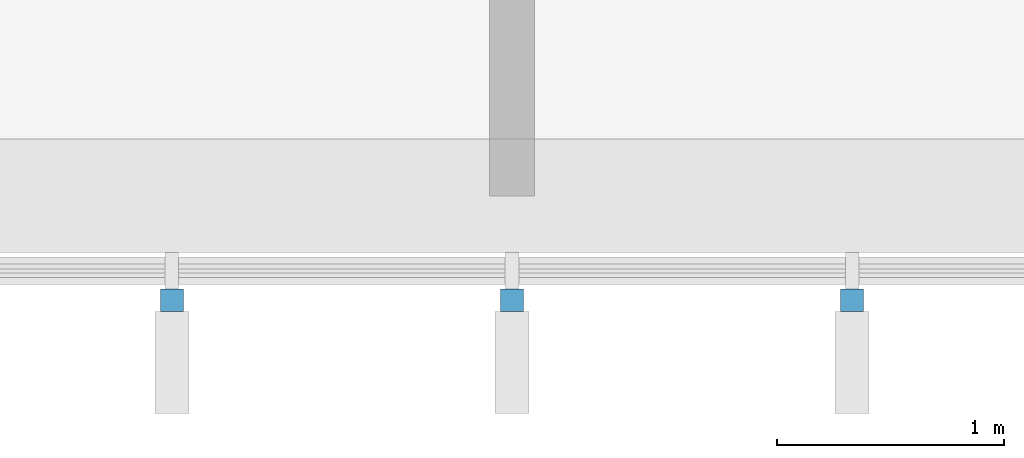
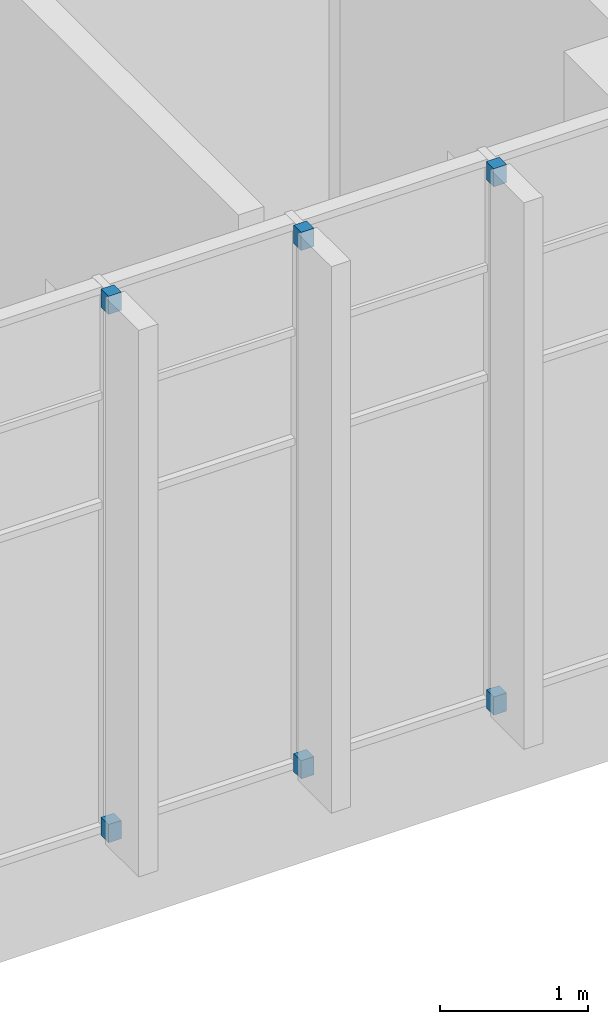
# One storey, part 37 of 45: 6 discrete accessories.
"""IFC4 building model written with IfcOpenShell, lengths in metres."""

from ifc_helpers import new_model, si_unit, direction, frame, origin, origin_2d, place, context, subcontext, project, spatial, rectangle, extrude, material, type_object, element, save


model = new_model("IFC4")

# Units and contexts
model_context = context("Model", 3, precision=1e-05, world=origin(), true_north=direction((0.0, 1.0)))
body_context = subcontext(model_context, "Body", "Model", "MODEL_VIEW")
ifc_project = project(units=[si_unit("LENGTHUNIT", "METRE"), si_unit("AREAUNIT", "SQUARE_METRE"), si_unit("VOLUMEUNIT", "CUBIC_METRE"), si_unit("PLANEANGLEUNIT", "RADIAN"), si_unit("MASSUNIT", "GRAM", prefix="KILO")], contexts=[model_context])

# Site, building, storey
site_placement = place(None, origin())
site = spatial("IfcSite", under=ifc_project, at=site_placement, CompositionType="ELEMENT")
building_placement = place(site_placement, origin())
building = spatial("IfcBuilding", under=site, at=building_placement, Name="Guidao Yard Department Store", CompositionType="ELEMENT")
storey_placement = place(building_placement, frame((0.0, 0.0, 19.5)))
storey = spatial("IfcBuildingStorey", under=building, at=storey_placement, Name="L04", CompositionType="ELEMENT", Elevation=19.5)

# Discrete accessories
ifc_material = material(Name="Steel Q355B", Category="steel")
discrete_accessory_type = type_object("IfcDiscreteAccessoryType", Name="Fin bracket BR3 steel plate", PredefinedType="BRACKET", material=ifc_material)
for number, where, z_axis, x_axis, name in (
    (1, (157.5, -0.4599609375, 0.0), (0.0, 0.0, 1.0), (-1.0, 0.0, 0.0), "Fin bracket"),
    (2, (157.5, -0.4599609375, 4.35009765625), (0.0, 0.0, 1.0), (-1.0, 0.0, 0.0), "Fin bracket"),
    (3, (159.0, -0.4599609375, 0.0), (0.0, 0.0, 1.0), (-1.0, 0.0, 0.0), "Fin bracket"),
    (4, (159.0, -0.4599609375, 4.35009765625), (0.0, 0.0, 1.0), (-1.0, 0.0, 0.0), "Fin bracket"),
    (5, (160.5, -0.4599609375, 0.0), (0.0, 0.0, 1.0), (-1.0, 0.0, 0.0), "Fin bracket"),
    (6, (160.5, -0.4599609375, 4.35009765625), (0.0, 0.0, 1.0), (-1.0, 0.0, 0.0), "Fin bracket"),
):
    element("IfcDiscreteAccessory", number, at=place(storey_placement, frame(where, z_axis=z_axis, x_axis=x_axis)), inside=storey, type_object=discrete_accessory_type, Name=name, PredefinedType="BRACKET", context=body_context, shape_type="SweptSolid", body=[
        extrude(rectangle(XDim=0.10009765625, YDim=0.10009765625, at=origin_2d()), origin(), (0.0, 0.0, 1.0), 0.14990234375),
    ])

save(model, "model.ifc")
